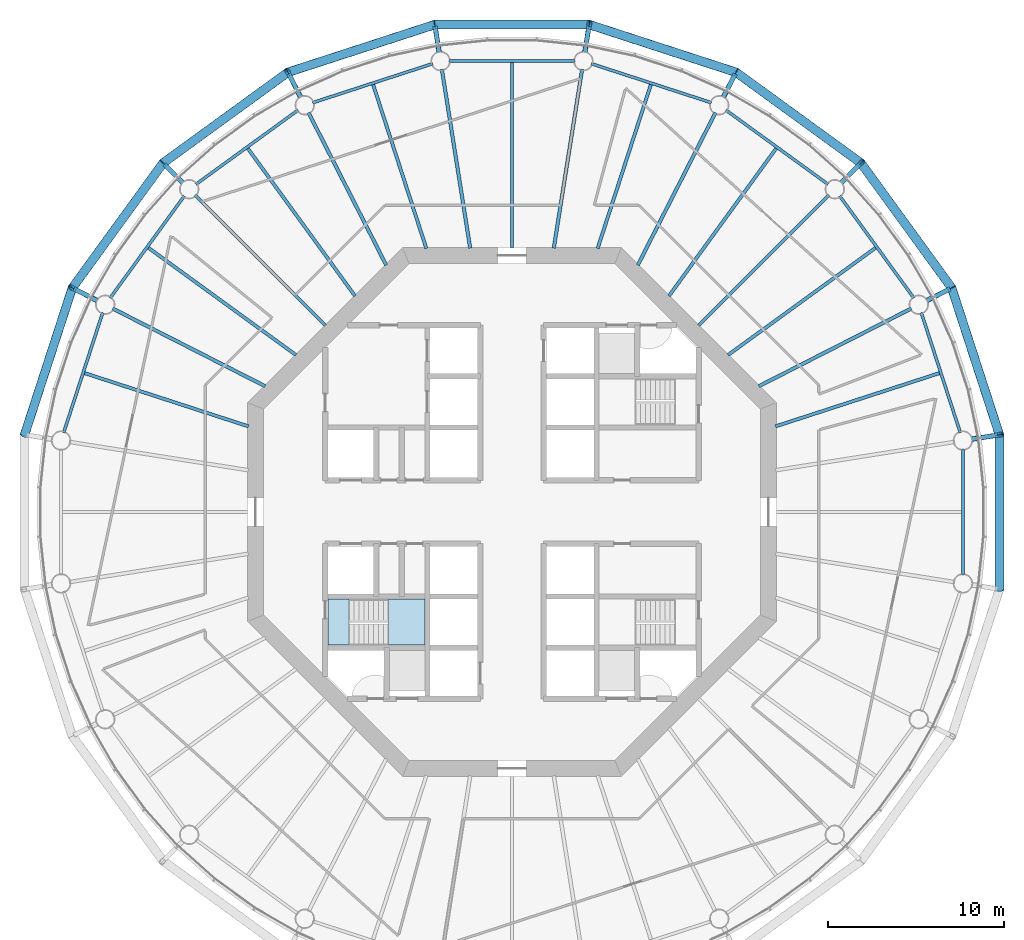
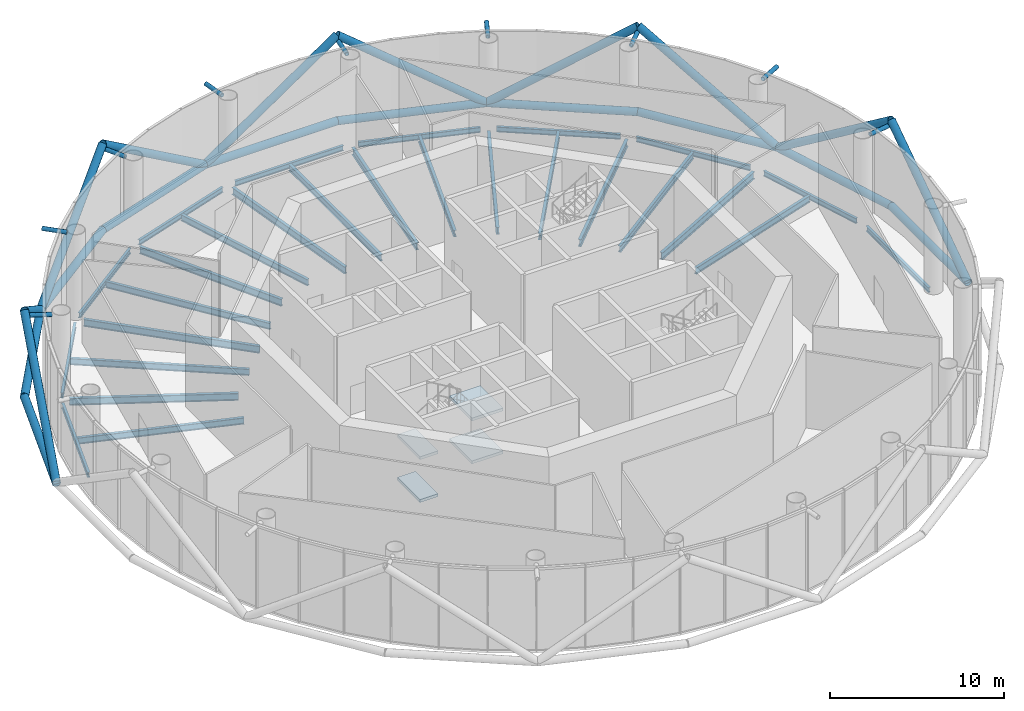
# One storey, part 2 of 14: 29 members, 27 beams, 4 slabs, 1 element without a shape of its own.
"""IFC4 building model written with IfcOpenShell, lengths in metres."""

from ifc_helpers import new_model, si_unit, direction, frame, origin, origin_2d, place, context, subcontext, project, spatial, polyline, circle, hollow_circle, i_section, outline, extrude, material, layer, layer_set, material_profile, profile_set, type_object, element, aggregate, save


model = new_model("IFC4")

# Units and contexts
model_context = context("Model", 3, precision=1e-05, world=origin(), true_north=direction((0.0, 1.0)))
body_context = subcontext(model_context, "Body", "Model", "MODEL_VIEW")
ifc_project = project(units=[si_unit("LENGTHUNIT", "METRE"), si_unit("AREAUNIT", "SQUARE_METRE"), si_unit("VOLUMEUNIT", "CUBIC_METRE"), si_unit("PLANEANGLEUNIT", "RADIAN"), si_unit("MASSUNIT", "GRAM", prefix="KILO")], contexts=[model_context])

# Site, building, storey
site_placement = place(None, origin())
site = spatial("IfcSite", under=ifc_project, at=site_placement, CompositionType="ELEMENT")
building_placement = place(site_placement, origin())
building = spatial("IfcBuilding", under=site, at=building_placement, Name="Entoto Ring Tower", CompositionType="ELEMENT")
storey_placement = place(building_placement, frame((0.0, 0.0, 262.0)))
storey = spatial("IfcBuildingStorey", under=building, at=storey_placement, Name="L60", CompositionType="ELEMENT", Elevation=262.0)

# Members
ifc_material_1 = material(Name="Steel S355", Category="steel")
ifc_material_profile_1 = material_profile(ifc_material_1, hollow_circle(Radius=0.25390625, WallThickness=0.02490234375, at=origin_2d()), Name="CHS 508 x 25")
ifc_material_2 = material(Name="Concrete C60/75", Category="concrete")
ifc_material_profile_2 = material_profile(ifc_material_2, circle(Radius=0.22900390625, at=origin_2d()), Name="Concrete C60/75 infill")
ifc_profile_set_1 = profile_set([ifc_material_profile_1, ifc_material_profile_2], Name="Steel S355")
member_type_1 = type_object("IfcMemberType", Name="Diagrid diagonal 508 x 25 concrete-filled tube", PredefinedType="BRACE", material=ifc_profile_set_1)
member_1_placement = place(storey_placement, frame((114.9482421875, 92.711669921875, 0.0), z_axis=(0.254946582886, -0.784659730119, 0.56507640882), x_axis=(0.95105823263, 0.309011711991, 0.0)))
element("IfcMember", 1, at=member_1_placement, inside=storey, type_object=member_type_1, Name="DG5 module 20 01", PredefinedType="BRACE", context=body_context, shape_type="SweptSolid", body=[
    extrude(hollow_circle(Radius=0.25390625, WallThickness=0.02490234375, at=origin_2d()), origin(), (0.0, 0.0, 1.0), 10.617919921875),
])
for number, where, z_axis, x_axis, name in (
    (2, (114.9482421875, 92.711669921875, 0.0), (-0.484940157309, 0.667479624801, 0.56506990214), (-0.809024012567, -0.587775592458, 0.0), "DG5 module 20 02"),
    (3, (102.711669921875, 104.9482421875, 0.0), (0.667479624801, -0.484940157309, 0.56506990214), (0.587775592458, 0.809024012567, 0.0), "DG5 module 20 03"),
):
    element("IfcMember", number, at=place(storey_placement, frame(where, z_axis=z_axis, x_axis=x_axis)), inside=storey, type_object=member_type_1, Name=name, PredefinedType="BRACE", context=body_context, shape_type="SweptSolid", body=[
        extrude(hollow_circle(Radius=0.25390625, WallThickness=0.02490234375, at=origin_2d()), origin(), (0.0, 0.0, 1.0), 10.6181640625),
    ])
for number, where, z_axis, x_axis, name in (
    (4, (102.711669921875, 104.9482421875, 0.0), (-0.784659730119, 0.254946582886, 0.56507640882), (-0.309011711991, -0.95105823263, 0.0), "DG5 module 20 04"),
    (5, (85.619873046875, 107.6552734375, 0.0), (0.825037584219, 0.0, 0.565077857136), (0.0, 1.0, 0.0), "DG5 module 20 05"),
    (6, (85.619873046875, 107.6552734375, 0.0), (-0.784659730119, -0.254946582886, 0.56507640882), (0.309011711991, -0.95105823263, 0.0), "DG5 module 20 06"),
):
    element("IfcMember", number, at=place(storey_placement, frame(where, z_axis=z_axis, x_axis=x_axis)), inside=storey, type_object=member_type_1, Name=name, PredefinedType="BRACE", context=body_context, shape_type="SweptSolid", body=[
        extrude(hollow_circle(Radius=0.25390625, WallThickness=0.02490234375, at=origin_2d()), origin(), (0.0, 0.0, 1.0), 10.617919921875),
    ])
for number, where, z_axis, x_axis, name in (
    (7, (70.200927734375, 99.799072265625, 0.0), (0.667479624801, 0.484940157309, 0.56506990214), (-0.587775592458, 0.809024012567, 0.0), "DG5 module 20 07"),
    (8, (70.200927734375, 99.799072265625, 0.0), (-0.484940157309, -0.667479624801, 0.56506990214), (0.809024012567, -0.587775592458, 0.0), "DG5 module 20 08"),
):
    element("IfcMember", number, at=place(storey_placement, frame(where, z_axis=z_axis, x_axis=x_axis)), inside=storey, type_object=member_type_1, Name=name, PredefinedType="BRACE", context=body_context, shape_type="SweptSolid", body=[
        extrude(hollow_circle(Radius=0.25390625, WallThickness=0.02490234375, at=origin_2d()), origin(), (0.0, 0.0, 1.0), 10.6181640625),
    ])
for number, where, z_axis, x_axis, name in (
    (9, (62.3447265625, 84.380126953125, 0.0), (0.254946582886, 0.784659730119, 0.56507640882), (-0.95105823263, 0.309011711991, 0.0), "DG5 module 20 09"),
    (10, (117.6552734375, 75.619873046875, 0.0), (0.0, 0.825037584219, 0.565077857136), (-1.0, 0.0, 0.0), "DG5 module 20 20"),
):
    element("IfcMember", number, at=place(storey_placement, frame(where, z_axis=z_axis, x_axis=x_axis)), inside=storey, type_object=member_type_1, Name=name, PredefinedType="BRACE", context=body_context, shape_type="SweptSolid", body=[
        extrude(hollow_circle(Radius=0.25390625, WallThickness=0.02490234375, at=origin_2d()), origin(), (0.0, 0.0, 1.0), 10.617919921875),
    ])
ifc_material_3 = material(Name="Steel S355", Category="steel")
ifc_material_profile_3 = material_profile(ifc_material_3, hollow_circle(Radius=0.136474609375, WallThickness=0.012451171875, at=origin_2d()), Name="CHS 273 x 12.5")
ifc_material_4 = material(Name="Concrete C60/75", Category="concrete")
ifc_material_profile_4 = material_profile(ifc_material_4, circle(Radius=0.1240234375, at=origin_2d()), Name="Concrete C60/75 infill")
ifc_profile_set_2 = profile_set([ifc_material_profile_3, ifc_material_profile_4], Name="Steel S355")
member_type_2 = type_object("IfcMemberType", Name="Diagrid node strut 273 x 12.5", PredefinedType="STRUT", material=ifc_profile_set_2)
member_2_placement = place(storey_placement, frame((116.087646484375, 84.1318359375, 5.71337890625), z_axis=(0.987684301722, 0.156459963354, 0.0), x_axis=(-0.156459963354, 0.987684301722, 0.0)))
element("IfcMember", 11, at=member_2_placement, inside=storey, type_object=member_type_2, Name="DS2 strut ring 20 01", PredefinedType="STRUT", context=body_context, shape_type="SweptSolid", body=[
    extrude(hollow_circle(Radius=0.136474609375, WallThickness=0.012451171875, at=origin_2d()), origin(), (0.0, 0.0, 1.0), 1.487060546875),
])
for number, where, z_axis, x_axis, name in (
    (12, (113.533935546875, 91.9912109375, 5.71337890625), (0.891053276869, 0.453898730756, 0.0), (-0.453898730756, 0.891053276869, 0.0), "DS2 strut ring 20 02"),
    (13, (108.676513671875, 98.676513671875, 5.71337890625), (0.707106781187, 0.707106781187, 0.0), (-0.707106781187, 0.707106781187, 0.0), "DS2 strut ring 20 03"),
    (14, (101.9912109375, 103.533935546875, 5.71337890625), (0.453898730756, 0.891053276869, 0.0), (-0.891053276869, 0.453898730756, 0.0), "DS2 strut ring 20 04"),
):
    element("IfcMember", number, at=place(storey_placement, frame(where, z_axis=z_axis, x_axis=x_axis)), inside=storey, type_object=member_type_2, Name=name, PredefinedType="STRUT", context=body_context, shape_type="SweptSolid", body=[
        extrude(hollow_circle(Radius=0.136474609375, WallThickness=0.012451171875, at=origin_2d()), origin(), (0.0, 0.0, 1.0), 1.4873046875),
    ])
for number, where, z_axis, x_axis, name in (
    (15, (94.1318359375, 106.087646484375, 5.71337890625), (0.156459963354, 0.987684301722, 0.0), (-0.987684301722, 0.156459963354, 0.0), "DS2 strut ring 20 05"),
    (16, (85.8681640625, 106.087646484375, 5.71337890625), (-0.156459963354, 0.987684301722, 0.0), (-0.987684301722, -0.156459963354, 0.0), "DS2 strut ring 20 06"),
):
    element("IfcMember", number, at=place(storey_placement, frame(where, z_axis=z_axis, x_axis=x_axis)), inside=storey, type_object=member_type_2, Name=name, PredefinedType="STRUT", context=body_context, shape_type="SweptSolid", body=[
        extrude(hollow_circle(Radius=0.136474609375, WallThickness=0.012451171875, at=origin_2d()), origin(), (0.0, 0.0, 1.0), 1.487060546875),
    ])
for number, where, z_axis, x_axis, name in (
    (17, (78.0087890625, 103.533935546875, 5.71337890625), (-0.453898730756, 0.891053276869, 0.0), (-0.891053276869, -0.453898730756, 0.0), "DS2 strut ring 20 07"),
    (18, (71.323486328125, 98.676513671875, 5.71337890625), (-0.707106781187, 0.707106781187, 0.0), (-0.707106781187, -0.707106781187, 0.0), "DS2 strut ring 20 08"),
    (19, (66.466064453125, 91.9912109375, 5.71337890625), (-0.891053276869, 0.453898730756, 0.0), (-0.453898730756, -0.891053276869, 0.0), "DS2 strut ring 20 09"),
):
    element("IfcMember", number, at=place(storey_placement, frame(where, z_axis=z_axis, x_axis=x_axis)), inside=storey, type_object=member_type_2, Name=name, PredefinedType="STRUT", context=body_context, shape_type="SweptSolid", body=[
        extrude(hollow_circle(Radius=0.136474609375, WallThickness=0.012451171875, at=origin_2d()), origin(), (0.0, 0.0, 1.0), 1.4873046875),
    ])
ifc_material_5 = material(Name="Steel S355", Category="steel")
ifc_material_profile_5 = material_profile(ifc_material_5, hollow_circle(Radius=0.25390625, WallThickness=0.030029296875, at=origin_2d()), Name="CHS 508 x 30")
ifc_material_6 = material(Name="Concrete C60/75", Category="concrete")
ifc_material_profile_6 = material_profile(ifc_material_6, circle(Radius=0.22412109375, at=origin_2d()), Name="Concrete C60/75 infill")
ifc_profile_set_3 = profile_set([ifc_material_profile_5, ifc_material_profile_6], Name="Steel S355")
member_type_3 = type_object("IfcMemberType", Name="Diagrid ring beam 508 x 30", PredefinedType="CHORD", material=ifc_profile_set_3)
for number, where, z_axis, x_axis, name in (
    (20, (114.983642578125, 92.6630859375, 0.0), (-0.587790766961, 0.809012987705, 0.0), (-0.809012987705, -0.587790766961, 0.0), "DR2 ring 19 01"),
    (21, (109.84765625, 99.763671875, 0.0), (-0.809012987705, 0.587790766961, 0.0), (-0.587790766961, -0.809012987705, 0.0), "DR2 ring 19 02"),
    (22, (102.76904296875, 104.9296875, 0.0), (-0.951061338755, 0.309002151976, 0.0), (-0.309002151976, -0.951061338755, 0.0), "DR2 ring 19 03"),
):
    element("IfcMember", number, at=place(storey_placement, frame(where, z_axis=z_axis, x_axis=x_axis)), inside=storey, type_object=member_type_3, Name=name, PredefinedType="CHORD", context=body_context, shape_type="SweptSolid", body=[
        extrude(hollow_circle(Radius=0.25390625, WallThickness=0.030029296875, at=origin_2d()), origin(), (0.0, 0.0, 1.0), 8.880615234375),
    ])
member_3_placement = place(storey_placement, frame((94.4404296875, 107.6552734375, 0.0), z_axis=(-1.0, 0.0, 0.0), x_axis=(0.0, -1.0, 0.0)))
element("IfcMember", 23, at=member_3_placement, inside=storey, type_object=member_type_3, Name="DR2 ring 19 04", PredefinedType="CHORD", context=body_context, shape_type="SweptSolid", body=[
    extrude(hollow_circle(Radius=0.25390625, WallThickness=0.030029296875, at=origin_2d()), origin(), (0.0, 0.0, 1.0), 8.880859375),
])
for number, where, z_axis, x_axis, name in (
    (24, (85.677001953125, 107.673828125, 0.0), (-0.951061338755, -0.309002151976, 0.0), (0.309002151976, -0.951061338755, 0.0), "DR2 ring 19 05"),
    (25, (77.3369140625, 104.983642578125, 0.0), (-0.809012987705, -0.587790766961, 0.0), (0.587790766961, -0.809012987705, 0.0), "DR2 ring 19 06"),
    (26, (70.236328125, 99.84765625, 0.0), (-0.587790766961, -0.809012987705, 0.0), (0.809012987705, -0.587790766961, 0.0), "DR2 ring 19 07"),
    (27, (65.0703125, 92.76904296875, 0.0), (-0.309002151976, -0.951061338755, 0.0), (0.951061338755, -0.309002151976, 0.0), "DR2 ring 19 08"),
):
    element("IfcMember", number, at=place(storey_placement, frame(where, z_axis=z_axis, x_axis=x_axis)), inside=storey, type_object=member_type_3, Name=name, PredefinedType="CHORD", context=body_context, shape_type="SweptSolid", body=[
        extrude(hollow_circle(Radius=0.25390625, WallThickness=0.030029296875, at=origin_2d()), origin(), (0.0, 0.0, 1.0), 8.880615234375),
    ])
member_4_placement = place(storey_placement, frame((117.6552734375, 75.5595703125, 0.0), z_axis=(0.0, 1.0, 0.0), x_axis=(-1.0, 0.0, 0.0)))
element("IfcMember", 28, at=member_4_placement, inside=storey, type_object=member_type_3, Name="DR2 ring 19 19", PredefinedType="CHORD", context=body_context, shape_type="SweptSolid", body=[
    extrude(hollow_circle(Radius=0.25390625, WallThickness=0.030029296875, at=origin_2d()), origin(), (0.0, 0.0, 1.0), 8.880859375),
])
member_5_placement = place(storey_placement, frame((117.673828125, 84.322998046875, 0.0), z_axis=(-0.309002151976, 0.951061338755, 0.0), x_axis=(-0.951061338755, -0.309002151976, 0.0)))
element("IfcMember", 29, at=member_5_placement, inside=storey, type_object=member_type_3, Name="DR2 ring 19 20", PredefinedType="CHORD", context=body_context, shape_type="SweptSolid", body=[
    extrude(hollow_circle(Radius=0.25390625, WallThickness=0.030029296875, at=origin_2d()), origin(), (0.0, 0.0, 1.0), 8.880615234375),
])

# Beams
ifc_material_7 = material(Name="Steel S355", Category="steel")
ifc_material_profile_7 = material_profile(ifc_material_7, i_section(OverallWidth=0.169921875, OverallDepth=0.360107421875, WebThickness=0.008056640625, FlangeThickness=0.0126953125, FilletRadius=0.01806640625, at=origin_2d()), Name="IPE 360")
ifc_profile_set_4 = profile_set([ifc_material_profile_7], Name="Steel S355")
beam_type_1 = type_object("IfcBeamType", Name="Edge beam IPE 360", PredefinedType="SPANDREL", material=ifc_profile_set_4)
beam_1_placement = place(storey_placement, frame((115.43505859375, 84.501220703125, -0.330078125), z_axis=(-0.309015118354, 0.951057125849, 0.0), x_axis=(-0.951057125849, -0.309015118354, 0.0)))
element("IfcBeam", 30, at=beam_1_placement, inside=storey, type_object=beam_type_1, Name="Edge beam L60 01", PredefinedType="SPANDREL", context=body_context, shape_type="SweptSolid", body=[
    extrude(i_section(OverallWidth=0.169921875, OverallDepth=0.360107421875, WebThickness=0.008056640625, FlangeThickness=0.0126953125, FilletRadius=0.01806640625, at=origin_2d()), origin(), (0.0, 0.0, 1.0), 7.157958984375),
])
for number, where, z_axis, x_axis, name in (
    (31, (112.79931640625, 92.140625, -0.330078125), (-0.587794432314, 0.809010324619, 0.0), (-0.809010324619, -0.587794432314, 0.0), "Edge beam L60 02"),
    (32, (107.931640625, 98.591796875, -0.330078125), (-0.809010324619, 0.587794432314, 0.0), (-0.587794432314, -0.809010324619, 0.0), "Edge beam L60 03"),
):
    element("IfcBeam", number, at=place(storey_placement, frame(where, z_axis=z_axis, x_axis=x_axis)), inside=storey, type_object=beam_type_1, Name=name, PredefinedType="SPANDREL", context=body_context, shape_type="SweptSolid", body=[
        extrude(i_section(OverallWidth=0.169921875, OverallDepth=0.360107421875, WebThickness=0.008056640625, FlangeThickness=0.0126953125, FilletRadius=0.01806640625, at=origin_2d()), origin(), (0.0, 0.0, 1.0), 7.158203125),
    ])
beam_2_placement = place(storey_placement, frame((101.308837890625, 103.22314453125, -0.330078125), z_axis=(-0.951057125849, 0.309015118354, 0.0), x_axis=(-0.309015118354, -0.951057125849, 0.0)))
element("IfcBeam", 33, at=beam_2_placement, inside=storey, type_object=beam_type_1, Name="Edge beam L60 04", PredefinedType="SPANDREL", context=body_context, shape_type="SweptSolid", body=[
    extrude(i_section(OverallWidth=0.169921875, OverallDepth=0.360107421875, WebThickness=0.008056640625, FlangeThickness=0.0126953125, FilletRadius=0.01806640625, at=origin_2d()), origin(), (0.0, 0.0, 1.0), 7.157958984375),
])
beam_3_placement = place(storey_placement, frame((93.5791015625, 105.5810546875, -0.330078125), z_axis=(-1.0, 0.0, 0.0), x_axis=(0.0, -1.0, 0.0)))
element("IfcBeam", 34, at=beam_3_placement, inside=storey, type_object=beam_type_1, Name="Edge beam L60 05", PredefinedType="SPANDREL", context=body_context, shape_type="SweptSolid", body=[
    extrude(i_section(OverallWidth=0.169921875, OverallDepth=0.360107421875, WebThickness=0.008056640625, FlangeThickness=0.0126953125, FilletRadius=0.01806640625, at=origin_2d()), origin(), (0.0, 0.0, 1.0), 7.158203125),
])
beam_4_placement = place(storey_placement, frame((85.498779296875, 105.43505859375, -0.330078125), z_axis=(-0.951057125849, -0.309015118354, 0.0), x_axis=(0.309015118354, -0.951057125849, 0.0)))
element("IfcBeam", 35, at=beam_4_placement, inside=storey, type_object=beam_type_1, Name="Edge beam L60 06", PredefinedType="SPANDREL", context=body_context, shape_type="SweptSolid", body=[
    extrude(i_section(OverallWidth=0.169921875, OverallDepth=0.360107421875, WebThickness=0.008056640625, FlangeThickness=0.0126953125, FilletRadius=0.01806640625, at=origin_2d()), origin(), (0.0, 0.0, 1.0), 7.157958984375),
])
for number, where, z_axis, x_axis, name in (
    (36, (77.859375, 102.79931640625, -0.330078125), (-0.809010324619, -0.587794432314, 0.0), (0.587794432314, -0.809010324619, 0.0), "Edge beam L60 07"),
    (37, (71.408203125, 97.931640625, -0.330078125), (-0.587794432314, -0.809010324619, 0.0), (0.809010324619, -0.587794432314, 0.0), "Edge beam L60 08"),
):
    element("IfcBeam", number, at=place(storey_placement, frame(where, z_axis=z_axis, x_axis=x_axis)), inside=storey, type_object=beam_type_1, Name=name, PredefinedType="SPANDREL", context=body_context, shape_type="SweptSolid", body=[
        extrude(i_section(OverallWidth=0.169921875, OverallDepth=0.360107421875, WebThickness=0.008056640625, FlangeThickness=0.0126953125, FilletRadius=0.01806640625, at=origin_2d()), origin(), (0.0, 0.0, 1.0), 7.158203125),
    ])
beam_5_placement = place(storey_placement, frame((66.77685546875, 91.308837890625, -0.330078125), z_axis=(-0.309015118354, -0.951057125849, 0.0), x_axis=(0.951057125849, -0.309015118354, 0.0)))
element("IfcBeam", 38, at=beam_5_placement, inside=storey, type_object=beam_type_1, Name="Edge beam L60 09", PredefinedType="SPANDREL", context=body_context, shape_type="SweptSolid", body=[
    extrude(i_section(OverallWidth=0.169921875, OverallDepth=0.360107421875, WebThickness=0.008056640625, FlangeThickness=0.0126953125, FilletRadius=0.01806640625, at=origin_2d()), origin(), (0.0, 0.0, 1.0), 7.157958984375),
])
beam_6_placement = place(storey_placement, frame((115.5810546875, 76.4208984375, -0.330078125), z_axis=(0.0, 1.0, 0.0), x_axis=(-1.0, 0.0, 0.0)))
element("IfcBeam", 39, at=beam_6_placement, inside=storey, type_object=beam_type_1, Name="Edge beam L60 20", PredefinedType="SPANDREL", context=body_context, shape_type="SweptSolid", body=[
    extrude(i_section(OverallWidth=0.169921875, OverallDepth=0.360107421875, WebThickness=0.008056640625, FlangeThickness=0.0126953125, FilletRadius=0.01806640625, at=origin_2d()), origin(), (0.0, 0.0, 1.0), 7.158203125),
])
ifc_material_8 = material(Name="Steel S355", Category="steel")
ifc_material_profile_8 = material_profile(ifc_material_8, i_section(OverallWidth=0.199951171875, OverallDepth=0.5, WebThickness=0.01025390625, FlangeThickness=0.01611328125, FilletRadius=0.02099609375, at=origin_2d()), Name="IPE 500")
ifc_profile_set_5 = profile_set([ifc_material_profile_8], Name="Steel S355")
beam_type_2 = type_object("IfcBeamType", Name="Primary floor beam IPE 500", PredefinedType="BEAM", material=ifc_profile_set_5)
beam_7_placement = place(storey_placement, frame((104.006103515625, 87.136474609375, -0.39990234375), z_axis=(0.891012442297, 0.45397888461, 0.0), x_axis=(-0.45397888461, 0.891012442297, 0.0)))
element("IfcBeam", 40, at=beam_7_placement, inside=storey, type_object=beam_type_2, Name="Primary L60 R02", PredefinedType="BEAM", context=body_context, shape_type="SweptSolid", body=[
    extrude(i_section(OverallWidth=0.199951171875, OverallDepth=0.5, WebThickness=0.01025390625, FlangeThickness=0.01611328125, FilletRadius=0.02099609375, at=origin_2d()), origin(), (0.0, 0.0, 1.0), 9.710693359375),
])
beam_8_placement = place(storey_placement, frame((100.592529296875, 90.592529296875, -0.39990234375), z_axis=(0.707106781187, 0.707106781187, 0.0), x_axis=(-0.707106781187, 0.707106781187, 0.0)))
element("IfcBeam", 41, at=beam_8_placement, inside=storey, type_object=beam_type_2, Name="Primary L60 R03", PredefinedType="BEAM", context=body_context, shape_type="SweptSolid", body=[
    extrude(i_section(OverallWidth=0.199951171875, OverallDepth=0.5, WebThickness=0.01025390625, FlangeThickness=0.01611328125, FilletRadius=0.02099609375, at=origin_2d()), origin(), (0.0, 0.0, 1.0), 10.4501953125),
])
beam_9_placement = place(storey_placement, frame((97.136474609375, 94.006103515625, -0.39990234375), z_axis=(0.45397888461, 0.891012442297, 0.0), x_axis=(-0.891012442297, 0.45397888461, 0.0)))
element("IfcBeam", 42, at=beam_9_placement, inside=storey, type_object=beam_type_2, Name="Primary L60 R04", PredefinedType="BEAM", context=body_context, shape_type="SweptSolid", body=[
    extrude(i_section(OverallWidth=0.199951171875, OverallDepth=0.5, WebThickness=0.01025390625, FlangeThickness=0.01611328125, FilletRadius=0.02099609375, at=origin_2d()), origin(), (0.0, 0.0, 1.0), 9.710693359375),
])
for number, where, z_axis, x_axis, name in (
    (43, (92.3701171875, 94.964599609375, -0.39990234375), (0.156451644281, 0.987685619518, 0.0), (-0.987685619518, 0.156451644281, 0.0), "Primary L60 R05"),
    (44, (87.6298828125, 94.964599609375, -0.39990234375), (-0.156451644281, 0.987685619518, 0.0), (-0.987685619518, -0.156451644281, 0.0), "Primary L60 R06"),
):
    element("IfcBeam", number, at=place(storey_placement, frame(where, z_axis=z_axis, x_axis=x_axis)), inside=storey, type_object=beam_type_2, Name=name, PredefinedType="BEAM", context=body_context, shape_type="SweptSolid", body=[
        extrude(i_section(OverallWidth=0.199951171875, OverallDepth=0.5, WebThickness=0.01025390625, FlangeThickness=0.01611328125, FilletRadius=0.02099609375, at=origin_2d()), origin(), (0.0, 0.0, 1.0), 10.27880859375),
    ])
beam_10_placement = place(storey_placement, frame((82.863525390625, 94.006103515625, -0.39990234375), z_axis=(-0.45397888461, 0.891012442297, 0.0), x_axis=(-0.891012442297, -0.45397888461, 0.0)))
element("IfcBeam", 45, at=beam_10_placement, inside=storey, type_object=beam_type_2, Name="Primary L60 R07", PredefinedType="BEAM", context=body_context, shape_type="SweptSolid", body=[
    extrude(i_section(OverallWidth=0.199951171875, OverallDepth=0.5, WebThickness=0.01025390625, FlangeThickness=0.01611328125, FilletRadius=0.02099609375, at=origin_2d()), origin(), (0.0, 0.0, 1.0), 9.710693359375),
])
beam_11_placement = place(storey_placement, frame((79.407470703125, 90.592529296875, -0.39990234375), z_axis=(-0.707106781187, 0.707106781187, 0.0), x_axis=(-0.707106781187, -0.707106781187, 0.0)))
element("IfcBeam", 46, at=beam_11_placement, inside=storey, type_object=beam_type_2, Name="Primary L60 R08", PredefinedType="BEAM", context=body_context, shape_type="SweptSolid", body=[
    extrude(i_section(OverallWidth=0.199951171875, OverallDepth=0.5, WebThickness=0.01025390625, FlangeThickness=0.01611328125, FilletRadius=0.02099609375, at=origin_2d()), origin(), (0.0, 0.0, 1.0), 10.4501953125),
])
beam_12_placement = place(storey_placement, frame((75.993896484375, 87.136474609375, -0.39990234375), z_axis=(-0.891012442297, 0.45397888461, 0.0), x_axis=(-0.45397888461, -0.891012442297, 0.0)))
element("IfcBeam", 47, at=beam_12_placement, inside=storey, type_object=beam_type_2, Name="Primary L60 R09", PredefinedType="BEAM", context=body_context, shape_type="SweptSolid", body=[
    extrude(i_section(OverallWidth=0.199951171875, OverallDepth=0.5, WebThickness=0.01025390625, FlangeThickness=0.01611328125, FilletRadius=0.02099609375, at=origin_2d()), origin(), (0.0, 0.0, 1.0), 9.710693359375),
])
ifc_material_9 = material(Name="Steel S355", Category="steel")
ifc_material_profile_9 = material_profile(ifc_material_9, i_section(OverallWidth=0.18994140625, OverallDepth=0.449951171875, WebThickness=0.009521484375, FlangeThickness=0.0146484375, FilletRadius=0.02099609375, at=origin_2d()), Name="IPE 450")
ifc_profile_set_6 = profile_set([ifc_material_profile_9], Name="Steel S355")
beam_type_3 = type_object("IfcBeamType", Name="Secondary floor beam IPE 450", PredefinedType="JOIST", material=ifc_profile_set_6)
beam_13_placement = place(storey_placement, frame((104.95166015625, 84.858154296875, -0.375), z_axis=(0.951061045963, 0.309003053144, 0.0), x_axis=(-0.309003053144, 0.951061045963, 0.0)))
element("IfcBeam", 48, at=beam_13_placement, inside=storey, type_object=beam_type_3, Name="Secondary beam L60 01", PredefinedType="JOIST", context=body_context, shape_type="SweptSolid", body=[
    extrude(i_section(OverallWidth=0.18994140625, OverallDepth=0.449951171875, WebThickness=0.009521484375, FlangeThickness=0.0146484375, FilletRadius=0.02099609375, at=origin_2d()), origin(), (0.0, 0.0, 1.0), 9.77490234375),
])
for number, where, z_axis, x_axis, name in (
    (49, (102.258056640625, 88.906005859375, -0.375), (0.809010538485, 0.58779413796, 0.0), (-0.58779413796, 0.809010538485, 0.0), "Secondary beam L60 02"),
    (50, (98.906005859375, 92.258056640625, -0.375), (0.58779413796, 0.809010538485, 0.0), (-0.809010538485, 0.58779413796, 0.0), "Secondary beam L60 03"),
):
    element("IfcBeam", number, at=place(storey_placement, frame(where, z_axis=z_axis, x_axis=x_axis)), inside=storey, type_object=beam_type_3, Name=name, PredefinedType="JOIST", context=body_context, shape_type="SweptSolid", body=[
        extrude(i_section(OverallWidth=0.18994140625, OverallDepth=0.449951171875, WebThickness=0.009521484375, FlangeThickness=0.0146484375, FilletRadius=0.02099609375, at=origin_2d()), origin(), (0.0, 0.0, 1.0), 10.34423828125),
    ])
beam_14_placement = place(storey_placement, frame((94.858154296875, 94.95166015625, -0.375), z_axis=(0.309003053144, 0.951061045963, 0.0), x_axis=(-0.951061045963, 0.309003053144, 0.0)))
element("IfcBeam", 51, at=beam_14_placement, inside=storey, type_object=beam_type_3, Name="Secondary beam L60 04", PredefinedType="JOIST", context=body_context, shape_type="SweptSolid", body=[
    extrude(i_section(OverallWidth=0.18994140625, OverallDepth=0.449951171875, WebThickness=0.009521484375, FlangeThickness=0.0146484375, FilletRadius=0.02099609375, at=origin_2d()), origin(), (0.0, 0.0, 1.0), 9.77490234375),
])
beam_15_placement = place(storey_placement, frame((90.0, 94.97998046875, -0.375), z_axis=(0.0, 1.0, 0.0), x_axis=(-1.0, 0.0, 0.0)))
element("IfcBeam", 52, at=beam_15_placement, inside=storey, type_object=beam_type_3, Name="Secondary beam L60 05", PredefinedType="JOIST", context=body_context, shape_type="SweptSolid", body=[
    extrude(i_section(OverallWidth=0.18994140625, OverallDepth=0.449951171875, WebThickness=0.009521484375, FlangeThickness=0.0146484375, FilletRadius=0.02099609375, at=origin_2d()), origin(), (0.0, 0.0, 1.0), 10.51611328125),
])
beam_16_placement = place(storey_placement, frame((85.141845703125, 94.95166015625, -0.375), z_axis=(-0.309003053144, 0.951061045963, 0.0), x_axis=(-0.951061045963, -0.309003053144, 0.0)))
element("IfcBeam", 53, at=beam_16_placement, inside=storey, type_object=beam_type_3, Name="Secondary beam L60 06", PredefinedType="JOIST", context=body_context, shape_type="SweptSolid", body=[
    extrude(i_section(OverallWidth=0.18994140625, OverallDepth=0.449951171875, WebThickness=0.009521484375, FlangeThickness=0.0146484375, FilletRadius=0.02099609375, at=origin_2d()), origin(), (0.0, 0.0, 1.0), 9.77490234375),
])
for number, where, z_axis, x_axis, name in (
    (54, (81.093994140625, 92.258056640625, -0.375), (-0.58779413796, 0.809010538485, 0.0), (-0.809010538485, -0.58779413796, 0.0), "Secondary beam L60 07"),
    (55, (77.741943359375, 88.906005859375, -0.375), (-0.809010538485, 0.58779413796, 0.0), (-0.58779413796, -0.809010538485, 0.0), "Secondary beam L60 08"),
):
    element("IfcBeam", number, at=place(storey_placement, frame(where, z_axis=z_axis, x_axis=x_axis)), inside=storey, type_object=beam_type_3, Name=name, PredefinedType="JOIST", context=body_context, shape_type="SweptSolid", body=[
        extrude(i_section(OverallWidth=0.18994140625, OverallDepth=0.449951171875, WebThickness=0.009521484375, FlangeThickness=0.0146484375, FilletRadius=0.02099609375, at=origin_2d()), origin(), (0.0, 0.0, 1.0), 10.34423828125),
    ])
beam_17_placement = place(storey_placement, frame((75.04833984375, 84.858154296875, -0.375), z_axis=(-0.951061045963, 0.309003053144, 0.0), x_axis=(-0.309003053144, -0.951061045963, 0.0)))
element("IfcBeam", 56, at=beam_17_placement, inside=storey, type_object=beam_type_3, Name="Secondary beam L60 09", PredefinedType="JOIST", context=body_context, shape_type="SweptSolid", body=[
    extrude(i_section(OverallWidth=0.18994140625, OverallDepth=0.449951171875, WebThickness=0.009521484375, FlangeThickness=0.0146484375, FilletRadius=0.02099609375, at=origin_2d()), origin(), (0.0, 0.0, 1.0), 9.77490234375),
])

# Stair, slabs
ifc_material_10 = material(Name="Concrete C40/50", Category="concrete")
stair_type = type_object("IfcStairType", Name="Exit stair 1200 mm dog-leg reinforced concrete", PredefinedType="HALF_TURN_STAIR", material=ifc_material_10)
stair_placement = place(storey_placement, origin())
stair = element("IfcStair", 57, at=stair_placement, inside=storey, type_object=stair_type, Name="Exit stair 2", PredefinedType="HALF_TURN_STAIR")
ifc_material_11 = material(Name="Concrete C40/50", Category="concrete")
ifc_layer = layer(ifc_material_11, 0.199951171875)
ifc_layer_set = layer_set([ifc_layer], Name="Concrete C40/50")
slab_type = type_object("IfcSlabType", Name="Stair landing 200 mm reinforced concrete", PredefinedType="LANDING", material=ifc_layer_set)
slab_1_placement = place(storey_placement, frame((0.0, 0.0, -0.199951171875)))
slab_1 = element("IfcSlab", 58, at=slab_1_placement, type_object=slab_type, Name="ST2 landing 1", PredefinedType="LANDING", context=body_context, shape_type="SweptSolid", body=[
    extrude(outline(polyline([(80.75, 72.449951171875), (80.75, 75.050048828125), (79.550048828125, 75.050048828125), (79.550048828125, 72.449951171875), (80.75, 72.449951171875)])), origin(), (0.0, 0.0, 1.0), 0.199951171875),
])
slab_2_placement = place(storey_placement, frame((0.0, 0.0, 1.300048828125)))
slab_2 = element("IfcSlab", 59, at=slab_2_placement, type_object=slab_type, Name="ST2 landing 2", PredefinedType="LANDING", context=body_context, shape_type="SweptSolid", body=[
    extrude(outline(polyline([(82.989990234375, 72.449951171875), (85.050048828125, 72.449951171875), (85.050048828125, 75.050048828125), (82.989990234375, 75.050048828125), (82.989990234375, 72.449951171875)])), origin(), (0.0, 0.0, 1.0), 0.199951171875),
])
slab_3_placement = place(storey_placement, frame((0.0, 0.0, 2.800048828125)))
slab_3 = element("IfcSlab", 60, at=slab_3_placement, type_object=slab_type, Name="ST2 landing 3", PredefinedType="LANDING", context=body_context, shape_type="SweptSolid", body=[
    extrude(outline(polyline([(79.550048828125, 72.449951171875), (80.75, 72.449951171875), (80.75, 75.050048828125), (79.550048828125, 75.050048828125), (79.550048828125, 72.449951171875)])), origin(), (0.0, 0.0, 1.0), 0.199951171875),
])
slab_4_placement = place(storey_placement, frame((0.0, 0.0, 4.300048828125)))
slab_4 = element("IfcSlab", 61, at=slab_4_placement, type_object=slab_type, Name="ST2 landing 4", PredefinedType="LANDING", context=body_context, shape_type="SweptSolid", body=[
    extrude(outline(polyline([(82.989990234375, 72.449951171875), (85.050048828125, 72.449951171875), (85.050048828125, 75.050048828125), (82.989990234375, 75.050048828125), (82.989990234375, 72.449951171875)])), origin(), (0.0, 0.0, 1.0), 0.199951171875),
])
aggregate(stair, [slab_1, slab_2, slab_3, slab_4])

save(model, "model.ifc")
